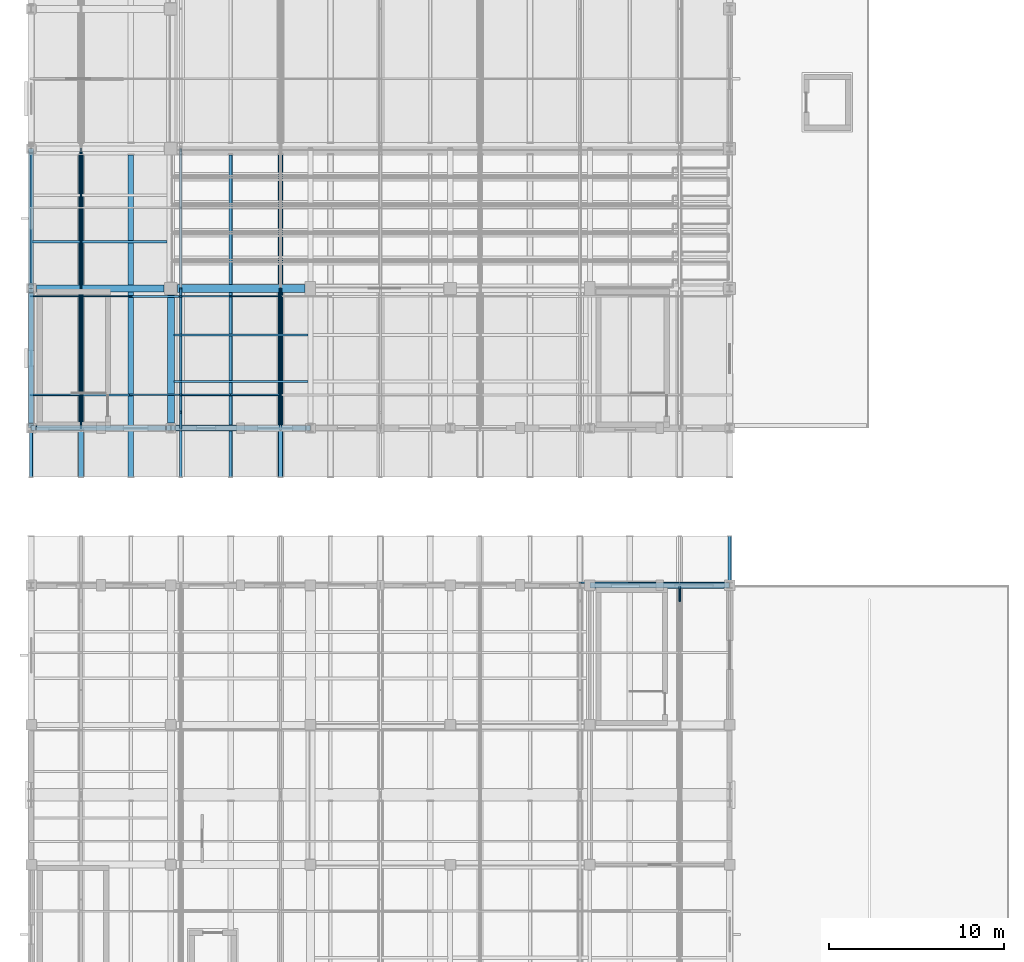
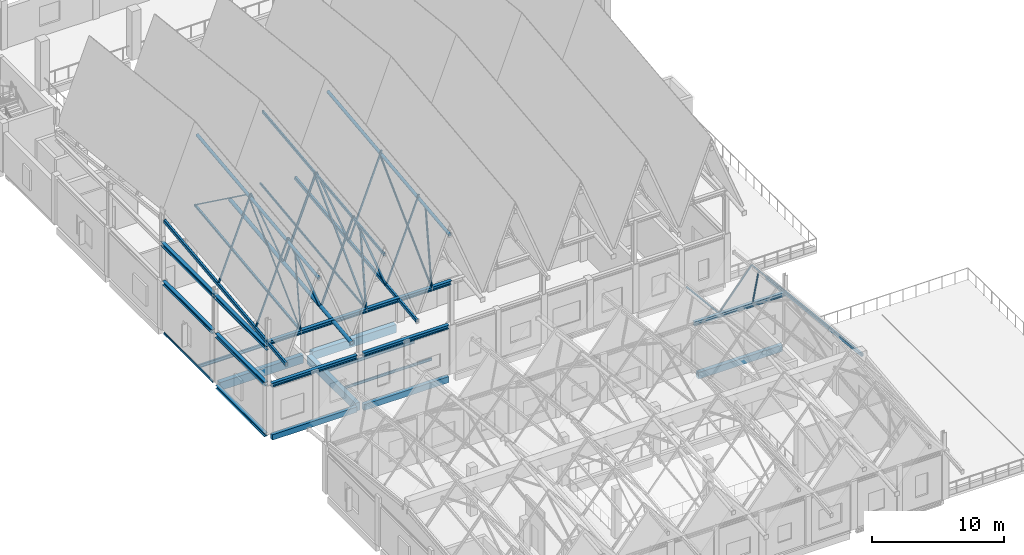
# One storey, part 14 of 77: 27 beams, 23 members.
"""IFC4 building model written with IfcOpenShell, lengths in metres."""

from ifc_helpers import new_model, si_unit, direction, frame, origin, origin_2d, place, context, subcontext, project, spatial, rectangle, hollow_rectangle, hollow_circle, i_section, extrude, material, material_profile, profile_set, type_object, element, save


model = new_model("IFC4")

# Units and contexts
model_context = context("Model", 3, precision=1e-05, world=origin(), true_north=direction((0.0, 1.0)))
body_context = subcontext(model_context, "Body", "Model", "MODEL_VIEW")
ifc_project = project(units=[si_unit("LENGTHUNIT", "METRE"), si_unit("AREAUNIT", "SQUARE_METRE"), si_unit("VOLUMEUNIT", "CUBIC_METRE"), si_unit("PLANEANGLEUNIT", "RADIAN"), si_unit("MASSUNIT", "GRAM", prefix="KILO")], contexts=[model_context])

# Site, building, storey
site_placement = place(None, origin())
site = spatial("IfcSite", under=ifc_project, at=site_placement, CompositionType="ELEMENT")
building_placement = place(site_placement, origin())
building = spatial("IfcBuilding", under=site, at=building_placement, Name="Luwemba Playhouse", CompositionType="ELEMENT")
storey_placement = place(building_placement, frame((0.0, 0.0, 9.300048828125)))
storey = spatial("IfcBuildingStorey", under=building, at=storey_placement, Name="L02", CompositionType="ELEMENT", Elevation=9.300048828125)

# Beams
ifc_material_1 = material(Name="Concrete C40/50", Category="concrete")
ifc_material_profile_1 = material_profile(ifc_material_1, rectangle(XDim=0.39990234375, YDim=0.75, at=origin_2d()))
ifc_profile_set_1 = profile_set([ifc_material_profile_1], Name="Concrete C40/50")
beam_type_1 = type_object("IfcBeamType", Name="BM-RB03", PredefinedType="BEAM", material=ifc_profile_set_1)
for number, where, z_axis, x_axis, name in (
    (1, (4.300048828125, 44.0, -0.625), (1.0, 0.0, 0.0), (0.0, 1.0, 0.0), "L02 grid girder 0645"),
    (2, (12.0, 36.300048828125, -0.625), (0.0, 1.0, 0.0), (-1.0, 0.0, 0.0), "L02 transverse girder 0658"),
):
    element("IfcBeam", number, at=place(storey_placement, frame(where, z_axis=z_axis, x_axis=x_axis)), inside=storey, type_object=beam_type_1, Name=name, PredefinedType="BEAM", context=body_context, shape_type="SweptSolid", body=[
        extrude(rectangle(XDim=0.39990234375, YDim=0.75, at=origin_2d()), origin(), (0.0, 0.0, 1.0), 7.324951171875),
    ])
ifc_material_profile_2 = material_profile(ifc_material_1, rectangle(XDim=0.449951171875, YDim=0.75, at=origin_2d()))
ifc_profile_set_2 = profile_set([ifc_material_profile_2], Name="Concrete C40/50")
beam_type_2 = type_object("IfcBeamType", Name="BM-RB04", PredefinedType="BEAM", material=ifc_profile_set_2)
beam_1_placement = place(storey_placement, frame((12.375, 44.0, -0.625), z_axis=(1.0, 0.0, 0.0), x_axis=(0.0, 1.0, 0.0)))
element("IfcBeam", 3, at=beam_1_placement, inside=storey, type_object=beam_type_2, Name="L02 grid girder 0646", PredefinedType="BEAM", context=body_context, shape_type="SweptSolid", body=[
    extrude(rectangle(XDim=0.449951171875, YDim=0.75, at=origin_2d()), origin(), (0.0, 0.0, 1.0), 7.324951171875),
])
ifc_material_2 = material(Name="Steel S355", Category="steel")
ifc_material_profile_3 = material_profile(ifc_material_2, hollow_rectangle(XDim=0.14990234375, YDim=0.25, WallThickness=0.010009765625, InnerFilletRadius=0.014892578125, OuterFilletRadius=0.02490234375, at=origin_2d()))
ifc_profile_set_3 = profile_set([ifc_material_profile_3], Name="Steel S355")
beam_type_3 = type_object("IfcBeamType", Name="BM-RTG1", PredefinedType="USERDEFINED", material=ifc_profile_set_3)
beam_2_placement = place(storey_placement, frame((12.5712890625, 33.199951171875, 15.09814453125), z_axis=(0.0, 0.993767403215, 0.111473531871), x_axis=(-1.0, 0.0, 0.0)))
element("IfcBeam", 4, at=beam_2_placement, inside=storey, type_object=beam_type_3, Name="ROOF TRUSS ridge girder 0028", ObjectType="ROOF TRUSS", PredefinedType="USERDEFINED", context=body_context, shape_type="SweptSolid", body=[
    extrude(hollow_rectangle(XDim=0.14990234375, YDim=0.25, WallThickness=0.010009765625, InnerFilletRadius=0.014892578125, OuterFilletRadius=0.02490234375, at=origin_2d()), origin(), (0.0, 0.0, 1.0), 18.565673828125),
])
ifc_material_profile_4 = material_profile(ifc_material_2, hollow_rectangle(XDim=0.199951171875, YDim=0.300048828125, WallThickness=0.012451171875, InnerFilletRadius=0.018798828125, OuterFilletRadius=0.03125, at=origin_2d()))
ifc_profile_set_4 = profile_set([ifc_material_profile_4], Name="Steel S355")
beam_type_4 = type_object("IfcBeamType", Name="BM-RTG2", PredefinedType="USERDEFINED", material=ifc_profile_set_4)
for number, where, z_axis, x_axis, name in (
    (5, (4.0, 33.199951171875, 7.975830078125), (0.0, 0.993767403215, 0.111473531871), (-1.0, 0.0, 0.0), "ROOF TRUSS valley girder 0022"),
    (6, (15.4287109375, 33.199951171875, 7.975830078125), (0.0, 0.993767403215, 0.111473531871), (-1.0, 0.0, 0.0), "ROOF TRUSS valley girder 0030"),
):
    element("IfcBeam", number, at=place(storey_placement, frame(where, z_axis=z_axis, x_axis=x_axis)), inside=storey, type_object=beam_type_4, Name=name, ObjectType="ROOF TRUSS", PredefinedType="USERDEFINED", context=body_context, shape_type="SweptSolid", body=[
        extrude(hollow_rectangle(XDim=0.199951171875, YDim=0.300048828125, WallThickness=0.012451171875, InnerFilletRadius=0.018798828125, OuterFilletRadius=0.03125, at=origin_2d()), origin(), (0.0, 0.0, 1.0), 18.565673828125),
    ])
beam_3_placement = place(storey_placement, frame((44.0, 15.35009765625, 5.68212890625), z_axis=(0.0, 0.993767706686, -0.111470826443), x_axis=(-1.0, 0.0, 0.0)))
element("IfcBeam", 7, at=beam_3_placement, inside=storey, type_object=beam_type_4, Name="ROOF TRUSS valley girder 0290", ObjectType="ROOF TRUSS", PredefinedType="USERDEFINED", context=body_context, shape_type="SweptSolid", body=[
    extrude(hollow_rectangle(XDim=0.199951171875, YDim=0.300048828125, WallThickness=0.012451171875, InnerFilletRadius=0.018798828125, OuterFilletRadius=0.03125, at=origin_2d()), origin(), (0.0, 0.0, 1.0), 14.54052734375),
])
ifc_material_profile_5 = material_profile(ifc_material_2, hollow_circle(Radius=0.136474609375, WallThickness=0.012451171875, at=origin_2d()))
ifc_profile_set_5 = profile_set([ifc_material_profile_5], Name="Steel S355")
beam_type_5 = type_object("IfcBeamType", Name="BM-RTG3", PredefinedType="USERDEFINED", material=ifc_profile_set_5)
for number, where, z_axis, x_axis, name in (
    (8, (6.857177734375, 33.199951171875, 14.92724609375), (0.0, 0.993767403215, 0.111473531871), (-1.0, 0.0, 0.0), "ROOF TRUSS ridge girder 0024"),
    (9, (18.28564453125, 33.199951171875, 14.92724609375), (0.0, 0.993767403215, 0.111473531871), (-1.0, 0.0, 0.0), "ROOF TRUSS ridge girder 0032"),
):
    element("IfcBeam", number, at=place(storey_placement, frame(where, z_axis=z_axis, x_axis=x_axis)), inside=storey, type_object=beam_type_5, Name=name, ObjectType="ROOF TRUSS", PredefinedType="USERDEFINED", context=body_context, shape_type="SweptSolid", body=[
        extrude(hollow_circle(Radius=0.136474609375, WallThickness=0.012451171875, at=origin_2d()), origin(), (0.0, 0.0, 1.0), 18.565673828125),
    ])
ifc_material_profile_6 = material_profile(ifc_material_2, hollow_circle(Radius=0.161865234375, WallThickness=0.01611328125, at=origin_2d()))
ifc_profile_set_6 = profile_set([ifc_material_profile_6], Name="Steel S355")
beam_type_6 = type_object("IfcBeamType", Name="BM-RTG4", PredefinedType="USERDEFINED", material=ifc_profile_set_6)
beam_4_placement = place(storey_placement, frame((9.71435546875, 33.199951171875, 7.9638671875), z_axis=(0.0, 0.993767403215, 0.111473531871), x_axis=(-1.0, 0.0, 0.0)))
element("IfcBeam", 10, at=beam_4_placement, inside=storey, type_object=beam_type_6, Name="ROOF TRUSS valley girder 0026", ObjectType="ROOF TRUSS", PredefinedType="USERDEFINED", context=body_context, shape_type="SweptSolid", body=[
    extrude(hollow_circle(Radius=0.161865234375, WallThickness=0.01611328125, at=origin_2d()), origin(), (0.0, 0.0, 1.0), 18.565673828125),
])
ifc_material_profile_7 = material_profile(ifc_material_2, i_section(OverallWidth=0.300048828125, OverallDepth=0.360107421875, WebThickness=0.012451171875, FlangeThickness=0.0224609375, FilletRadius=0.027099609375, at=origin_2d()))
ifc_profile_set_7 = profile_set([ifc_material_profile_7], Name="Steel S355")
beam_type_7 = type_object("IfcBeamType", Name="BM-SB09", PredefinedType="BEAM", material=ifc_profile_set_7)
for number, where, z_axis, x_axis, name in (
    (11, (4.0, 36.25, 4.320068359375), (0.0, 1.0, 0.0), (-1.0, 0.0, 0.0), "L02 V1 auditorium clerestory spandrel beam 01"),
    (12, (4.0, 44.25, 4.320068359375), (0.0, 1.0, 0.0), (-1.0, 0.0, 0.0), "L02 V1 auditorium clerestory spandrel beam 02"),
    (13, (4.25, 36.0, 4.320068359375), (1.0, 0.0, 0.0), (0.0, 1.0, 0.0), "L02 V1 auditorium clerestory spandrel beam 05"),
    (14, (12.25, 36.0, 4.320068359375), (1.0, 0.0, 0.0), (0.0, 1.0, 0.0), "L02 V1 auditorium clerestory spandrel beam 06"),
):
    element("IfcBeam", number, at=place(storey_placement, frame(where, z_axis=z_axis, x_axis=x_axis)), inside=storey, type_object=beam_type_7, Name=name, PredefinedType="BEAM", context=body_context, shape_type="SweptSolid", body=[
        extrude(i_section(OverallWidth=0.300048828125, OverallDepth=0.360107421875, WebThickness=0.012451171875, FlangeThickness=0.0224609375, FilletRadius=0.027099609375, at=origin_2d()), origin(), (0.0, 0.0, 1.0), 7.5),
    ])
for number, where, z_axis, x_axis, name in (
    (15, (4.0, 36.0, 8.320068359375), (1.0, 0.0, 0.0), (0.0, 1.0, 0.0), "RF-V1 eave ring beam 0001"),
    (16, (12.0, 36.0, 8.320068359375), (1.0, 0.0, 0.0), (0.0, 1.0, 0.0), "RF-V1 eave ring beam 0002"),
    (17, (4.0, 36.0, 7.780029296875), (0.0, 1.0, 0.0), (-1.0, 0.0, 0.0), "RF-V1 gable ring beam 0011"),
    (18, (4.0, 44.0, 7.780029296875), (0.0, 1.0, 0.0), (-1.0, 0.0, 0.0), "RF-V1 gable ring beam 0012"),
    (19, (36.0, 27.0, 4.320068359375), (1.0, 0.0, 0.0), (0.0, 1.0, 0.0), "RF-V5W eave ring beam 0251"),
):
    element("IfcBeam", number, at=place(storey_placement, frame(where, z_axis=z_axis, x_axis=x_axis)), inside=storey, type_object=beam_type_7, Name=name, PredefinedType="BEAM", context=body_context, shape_type="SweptSolid", body=[
        extrude(i_section(OverallWidth=0.300048828125, OverallDepth=0.360107421875, WebThickness=0.012451171875, FlangeThickness=0.0224609375, FilletRadius=0.027099609375, at=origin_2d()), origin(), (0.0, 0.0, 1.0), 8.0),
    ])
ifc_material_profile_8 = material_profile(ifc_material_2, i_section(OverallWidth=0.1201171875, OverallDepth=0.239990234375, WebThickness=0.006103515625, FlangeThickness=0.009765625, FilletRadius=0.014892578125, at=origin_2d()))
ifc_profile_set_8 = profile_set([ifc_material_profile_8], Name="Steel S355")
beam_type_8 = type_object("IfcBeamType", Name="BM-SJ03", PredefinedType="JOIST", material=ifc_profile_set_8)
beam_5_placement = place(storey_placement, frame((12.196044921875, 38.666748046875, -0.3701171875), z_axis=(1.0, 0.0, 0.0), x_axis=(0.0, 1.0, 0.0)))
element("IfcBeam", 20, at=beam_5_placement, inside=storey, type_object=beam_type_8, Name="L02 composite floor joist 0393", PredefinedType="JOIST", context=body_context, shape_type="SweptSolid", body=[
    extrude(i_section(OverallWidth=0.1201171875, OverallDepth=0.239990234375, WebThickness=0.006103515625, FlangeThickness=0.009765625, FilletRadius=0.014892578125, at=origin_2d()), origin(), (0.0, 0.0, 1.0), 7.66796875),
])
ifc_material_profile_9 = material_profile(ifc_material_2, i_section(OverallWidth=0.135009765625, OverallDepth=0.27001953125, WebThickness=0.006591796875, FlangeThickness=0.01025390625, FilletRadius=0.014892578125, at=origin_2d()))
ifc_profile_set_9 = profile_set([ifc_material_profile_9], Name="Steel S355")
beam_type_9 = type_object("IfcBeamType", Name="BM-SJ04", PredefinedType="JOIST", material=ifc_profile_set_9)
beam_6_placement = place(storey_placement, frame((12.196044921875, 41.333251953125, -0.385009765625), z_axis=(1.0, 0.0, 0.0), x_axis=(0.0, 1.0, 0.0)))
element("IfcBeam", 21, at=beam_6_placement, inside=storey, type_object=beam_type_9, Name="L02 composite floor joist 0394", PredefinedType="JOIST", context=body_context, shape_type="SweptSolid", body=[
    extrude(i_section(OverallWidth=0.135009765625, OverallDepth=0.27001953125, WebThickness=0.006591796875, FlangeThickness=0.01025390625, FilletRadius=0.014892578125, at=origin_2d()), origin(), (0.0, 0.0, 1.0), 7.66796875),
])
ifc_material_profile_10 = material_profile(ifc_material_2, i_section(OverallWidth=0.14990234375, OverallDepth=0.300048828125, WebThickness=0.007080078125, FlangeThickness=0.0107421875, FilletRadius=0.014892578125, at=origin_2d()))
ifc_profile_set_10 = profile_set([ifc_material_profile_10], Name="Steel S355")
beam_type_10 = type_object("IfcBeamType", Name="BM-SJ05", PredefinedType="JOIST", material=ifc_profile_set_10)
beam_7_placement = place(storey_placement, frame((4.0458984375, 46.666748046875, -0.400146484375), z_axis=(1.0, 0.0, 0.0), x_axis=(0.0, 1.0, 0.0)))
element("IfcBeam", 22, at=beam_7_placement, inside=storey, type_object=beam_type_10, Name="L02 composite floor joist 0389", PredefinedType="JOIST", context=body_context, shape_type="SweptSolid", body=[
    extrude(i_section(OverallWidth=0.14990234375, OverallDepth=0.300048828125, WebThickness=0.007080078125, FlangeThickness=0.0107421875, FilletRadius=0.014892578125, at=origin_2d()), origin(), (0.0, 0.0, 1.0), 7.733154296875),
])
ifc_material_profile_11 = material_profile(ifc_material_1, rectangle(XDim=0.300048828125, YDim=0.5, at=origin_2d()))
ifc_profile_set_11 = profile_set([ifc_material_profile_11], Name="Concrete C40/50")
beam_type_11 = type_object("IfcBeamType", Name="BM-SP1", PredefinedType="SPANDREL", material=ifc_profile_set_11)
beam_8_placement = place(storey_placement, frame((4.300048828125, 36.0, -0.5), z_axis=(1.0, 0.0, 0.0), x_axis=(0.0, 1.0, 0.0)))
element("IfcBeam", 23, at=beam_8_placement, inside=storey, type_object=beam_type_11, Name="L02 grid girder 0640", PredefinedType="SPANDREL", context=body_context, shape_type="SweptSolid", body=[
    extrude(rectangle(XDim=0.300048828125, YDim=0.5, at=origin_2d()), origin(), (0.0, 0.0, 1.0), 7.39990234375),
])
ifc_material_profile_12 = material_profile(ifc_material_1, rectangle(XDim=0.35009765625, YDim=0.550048828125, at=origin_2d()))
ifc_profile_set_12 = profile_set([ifc_material_profile_12], Name="Concrete C40/50")
beam_type_12 = type_object("IfcBeamType", Name="BM-SP2", PredefinedType="SPANDREL", material=ifc_profile_set_12)
beam_9_placement = place(storey_placement, frame((12.300048828125, 36.0, -0.525146484375), z_axis=(1.0, 0.0, 0.0), x_axis=(0.0, 1.0, 0.0)))
element("IfcBeam", 24, at=beam_9_placement, inside=storey, type_object=beam_type_12, Name="L02 grid girder 0641", PredefinedType="SPANDREL", context=body_context, shape_type="SweptSolid", body=[
    extrude(rectangle(XDim=0.35009765625, YDim=0.550048828125, at=origin_2d()), origin(), (0.0, 0.0, 1.0), 7.39990234375),
])
ifc_material_profile_13 = material_profile(ifc_material_1, rectangle(XDim=0.35009765625, YDim=0.60009765625, at=origin_2d()))
ifc_profile_set_13 = profile_set([ifc_material_profile_13], Name="Concrete C40/50")
beam_type_13 = type_object("IfcBeamType", Name="BM-SP3", PredefinedType="SPANDREL", material=ifc_profile_set_13)
beam_10_placement = place(storey_placement, frame((36.324951171875, 27.0, -0.550048828125), z_axis=(1.0, 0.0, 0.0), x_axis=(0.0, 1.0, 0.0)))
element("IfcBeam", 25, at=beam_10_placement, inside=storey, type_object=beam_type_13, Name="L02 grid girder 0778", PredefinedType="SPANDREL", context=body_context, shape_type="SweptSolid", body=[
    extrude(rectangle(XDim=0.35009765625, YDim=0.60009765625, at=origin_2d()), origin(), (0.0, 0.0, 1.0), 7.35009765625),
])
ifc_material_profile_14 = material_profile(ifc_material_2, i_section(OverallWidth=0.300048828125, OverallDepth=0.300048828125, WebThickness=0.010986328125, FlangeThickness=0.01904296875, FilletRadius=0.027099609375, at=origin_2d()))
ifc_profile_set_14 = profile_set([ifc_material_profile_14], Name="Steel S355")
beam_type_14 = type_object("IfcBeamType", Name="BM-SSP1", PredefinedType="SPANDREL", material=ifc_profile_set_14)
beam_11_placement = place(storey_placement, frame((4.0, 36.300048828125, -0.400146484375), z_axis=(0.0, 1.0, 0.0), x_axis=(-1.0, 0.0, 0.0)))
element("IfcBeam", 26, at=beam_11_placement, inside=storey, type_object=beam_type_14, Name="L02 transverse girder 0654", PredefinedType="SPANDREL", context=body_context, shape_type="SweptSolid", body=[
    extrude(i_section(OverallWidth=0.300048828125, OverallDepth=0.300048828125, WebThickness=0.010986328125, FlangeThickness=0.01904296875, FilletRadius=0.027099609375, at=origin_2d()), origin(), (0.0, 0.0, 1.0), 7.39990234375),
])
ifc_material_profile_15 = material_profile(ifc_material_2, hollow_rectangle(XDim=0.10009765625, YDim=0.199951171875, WallThickness=0.008056640625, InnerFilletRadius=0.011962890625, OuterFilletRadius=0.02001953125, at=origin_2d()))
ifc_profile_set_15 = profile_set([ifc_material_profile_15], Name="Steel S355")
beam_type_15 = type_object("IfcBeamType", Name="BM-SSP2", PredefinedType="SPANDREL", material=ifc_profile_set_15)
beam_12_placement = place(storey_placement, frame((4.0, 44.300048828125, -0.35009765625), z_axis=(0.0, 1.0, 0.0), x_axis=(-1.0, 0.0, 0.0)))
element("IfcBeam", 27, at=beam_12_placement, inside=storey, type_object=beam_type_15, Name="L02 transverse girder 0655", PredefinedType="SPANDREL", context=body_context, shape_type="SweptSolid", body=[
    extrude(hollow_rectangle(XDim=0.10009765625, YDim=0.199951171875, WallThickness=0.008056640625, InnerFilletRadius=0.011962890625, OuterFilletRadius=0.02001953125, at=origin_2d()), origin(), (0.0, 0.0, 1.0), 7.39990234375),
])

# Members
ifc_material_profile_16 = material_profile(ifc_material_2, hollow_circle(Radius=0.06982421875, WallThickness=0.008056640625, at=origin_2d()))
ifc_profile_set_16 = profile_set([ifc_material_profile_16], Name="Steel S355")
member_type_1 = type_object("IfcMemberType", Name="MEM-MB01", PredefinedType="BRACE", material=ifc_profile_set_16)
member_1_placement = place(storey_placement, frame((41.142822265625, 27.0, 4.39990234375), z_axis=(0.0, -0.255427788816, 0.966828136072), x_axis=(1.0, 0.0, 0.0)))
element("IfcMember", 28, at=member_1_placement, inside=storey, type_object=member_type_1, Name="ROOF TRUSS eave knee strut 0071", PredefinedType="BRACE", context=body_context, shape_type="SweptSolid", body=[
    extrude(hollow_circle(Radius=0.06982421875, WallThickness=0.008056640625, at=origin_2d()), origin(), (0.0, 0.0, 1.0), 3.523193359375),
])
ifc_material_profile_17 = material_profile(ifc_material_2, hollow_circle(Radius=0.084228515625, WallThickness=0.008056640625, at=origin_2d()))
ifc_profile_set_17 = profile_set([ifc_material_profile_17], Name="Steel S355")
member_type_2 = type_object("IfcMemberType", Name="MEM-MB02", PredefinedType="BRACE", material=ifc_profile_set_17)
member_2_placement = place(storey_placement, frame((18.28564453125, 36.0, 8.39990234375), z_axis=(0.0, 0.718744269729, 0.695274531917), x_axis=(-1.0, 0.0, 0.0)))
element("IfcMember", 29, at=member_2_placement, inside=storey, type_object=member_type_2, Name="ROOF TRUSS web diagonal 0015", PredefinedType="BRACE", context=body_context, shape_type="SweptSolid", body=[
    extrude(hollow_circle(Radius=0.084228515625, WallThickness=0.008056640625, at=origin_2d()), origin(), (0.0, 0.0, 1.0), 11.130615234375),
])
member_3_placement = place(storey_placement, frame((18.28564453125, 36.0, 8.39990234375), z_axis=(0.0, 0.12854894737, 0.991703165332), x_axis=(-1.0, 0.0, 0.0)))
element("IfcMember", 30, at=member_3_placement, inside=storey, type_object=member_type_2, Name="ROOF TRUSS eave knee strut 0003", PredefinedType="BRACE", context=body_context, shape_type="SweptSolid", body=[
    extrude(hollow_circle(Radius=0.084228515625, WallThickness=0.008056640625, at=origin_2d()), origin(), (0.0, 0.0, 1.0), 7.00048828125),
])
ifc_material_profile_18 = material_profile(ifc_material_2, hollow_rectangle(XDim=0.10009765625, YDim=0.10009765625, WallThickness=0.00634765625, InnerFilletRadius=0.009521484375, OuterFilletRadius=0.015869140625, at=origin_2d()))
ifc_profile_set_18 = profile_set([ifc_material_profile_18], Name="Steel S355")
member_type_3 = type_object("IfcMemberType", Name="MEM-MB05", PredefinedType="BRACE", material=ifc_profile_set_18)
member_4_placement = place(storey_placement, frame((6.857177734375, 36.0, 8.39990234375), z_axis=(0.0, 0.718744269729, 0.695274531917), x_axis=(-1.0, 0.0, 0.0)))
element("IfcMember", 31, at=member_4_placement, inside=storey, type_object=member_type_3, Name="ROOF TRUSS web diagonal 0003", PredefinedType="BRACE", context=body_context, shape_type="SweptSolid", body=[
    extrude(hollow_rectangle(XDim=0.10009765625, YDim=0.10009765625, WallThickness=0.00634765625, InnerFilletRadius=0.009521484375, OuterFilletRadius=0.015869140625, at=origin_2d()), origin(), (0.0, 0.0, 1.0), 11.130615234375),
])
member_5_placement = place(storey_placement, frame((6.857177734375, 52.0, 10.314697265625), z_axis=(0.0, -0.8084575316, 0.5885545171), x_axis=(1.0, 0.0, 0.0)))
element("IfcMember", 32, at=member_5_placement, inside=storey, type_object=member_type_3, Name="ROOF TRUSS web diagonal 0004", PredefinedType="BRACE", context=body_context, shape_type="SweptSolid", body=[
    extrude(hollow_rectangle(XDim=0.10009765625, YDim=0.10009765625, WallThickness=0.00634765625, InnerFilletRadius=0.009521484375, OuterFilletRadius=0.015869140625, at=origin_2d()), origin(), (0.0, 0.0, 1.0), 9.8955078125),
])
member_6_placement = place(storey_placement, frame((6.857177734375, 36.0, 8.39990234375), z_axis=(0.0, 0.12854894737, 0.991703165332), x_axis=(-1.0, 0.0, 0.0)))
element("IfcMember", 33, at=member_6_placement, inside=storey, type_object=member_type_3, Name="ROOF TRUSS eave knee strut 0001", PredefinedType="BRACE", context=body_context, shape_type="SweptSolid", body=[
    extrude(hollow_rectangle(XDim=0.10009765625, YDim=0.10009765625, WallThickness=0.00634765625, InnerFilletRadius=0.009521484375, OuterFilletRadius=0.015869140625, at=origin_2d()), origin(), (0.0, 0.0, 1.0), 7.00048828125),
])
ifc_material_profile_19 = material_profile(ifc_material_2, hollow_rectangle(XDim=0.139892578125, YDim=0.139892578125, WallThickness=0.008056640625, InnerFilletRadius=0.011962890625, OuterFilletRadius=0.02001953125, at=origin_2d()))
ifc_profile_set_19 = profile_set([ifc_material_profile_19], Name="Steel S355")
member_type_4 = type_object("IfcMemberType", Name="MEM-MB07", PredefinedType="BRACE", material=ifc_profile_set_19)
member_7_placement = place(storey_placement, frame((12.5712890625, 36.0, 8.39990234375), z_axis=(0.0, 0.71111013522, 0.703080632351), x_axis=(-1.0, 0.0, 0.0)))
element("IfcMember", 34, at=member_7_placement, inside=storey, type_object=member_type_4, Name="ROOF TRUSS web diagonal 0009", PredefinedType="BRACE", context=body_context, shape_type="SweptSolid", body=[
    extrude(hollow_rectangle(XDim=0.139892578125, YDim=0.139892578125, WallThickness=0.008056640625, InnerFilletRadius=0.011962890625, OuterFilletRadius=0.02001953125, at=origin_2d()), origin(), (0.0, 0.0, 1.0), 11.25),
])
member_8_placement = place(storey_placement, frame((12.5712890625, 36.0, 8.39990234375), z_axis=(0.0, 0.125509765517, 0.992092384186), x_axis=(-1.0, 0.0, 0.0)))
element("IfcMember", 35, at=member_8_placement, inside=storey, type_object=member_type_4, Name="ROOF TRUSS eave knee strut 0002", PredefinedType="BRACE", context=body_context, shape_type="SweptSolid", body=[
    extrude(hollow_rectangle(XDim=0.139892578125, YDim=0.139892578125, WallThickness=0.008056640625, InnerFilletRadius=0.011962890625, OuterFilletRadius=0.02001953125, at=origin_2d()), origin(), (0.0, 0.0, 1.0), 7.169921875),
])
ifc_material_profile_20 = material_profile(ifc_material_2, hollow_rectangle(XDim=0.179931640625, YDim=0.179931640625, WallThickness=0.010009765625, InnerFilletRadius=0.014892578125, OuterFilletRadius=0.02490234375, at=origin_2d()))
ifc_profile_set_20 = profile_set([ifc_material_profile_20], Name="Steel S355")
member_type_5 = type_object("IfcMemberType", Name="MEM-MC03", PredefinedType="CHORD", material=ifc_profile_set_20)
member_9_placement = place(storey_placement, frame((6.857177734375, 36.0, 8.39990234375), z_axis=(0.0, 0.992914998684, 0.118826787333), x_axis=(-1.0, 0.0, 0.0)))
element("IfcMember", 36, at=member_9_placement, inside=storey, type_object=member_type_5, Name="ROOF TRUSS south bottom chord 0001", PredefinedType="CHORD", context=body_context, shape_type="SweptSolid", body=[
    extrude(hollow_rectangle(XDim=0.179931640625, YDim=0.179931640625, WallThickness=0.010009765625, InnerFilletRadius=0.014892578125, OuterFilletRadius=0.02490234375, at=origin_2d()), origin(), (0.0, 0.0, 1.0), 16.1142578125),
])
ifc_material_profile_21 = material_profile(ifc_material_2, hollow_rectangle(XDim=0.1201171875, YDim=0.199951171875, WallThickness=0.010009765625, InnerFilletRadius=0.014892578125, OuterFilletRadius=0.02490234375, at=origin_2d()))
ifc_profile_set_21 = profile_set([ifc_material_profile_21], Name="Steel S355")
member_type_6 = type_object("IfcMemberType", Name="MEM-MC05", PredefinedType="CHORD", material=ifc_profile_set_21)
member_10_placement = place(storey_placement, frame((12.5712890625, 36.0, 8.39990234375), z_axis=(0.0, 0.992914998684, 0.118826787333), x_axis=(-1.0, 0.0, 0.0)))
element("IfcMember", 37, at=member_10_placement, inside=storey, type_object=member_type_6, Name="ROOF TRUSS south bottom chord 0007", PredefinedType="CHORD", context=body_context, shape_type="SweptSolid", body=[
    extrude(hollow_rectangle(XDim=0.1201171875, YDim=0.199951171875, WallThickness=0.010009765625, InnerFilletRadius=0.014892578125, OuterFilletRadius=0.02490234375, at=origin_2d()), origin(), (0.0, 0.0, 1.0), 16.1142578125),
])
ifc_material_profile_22 = material_profile(ifc_material_2, hollow_rectangle(XDim=0.080078125, YDim=0.1201171875, WallThickness=0.00634765625, InnerFilletRadius=0.009521484375, OuterFilletRadius=0.015869140625, at=origin_2d()))
ifc_profile_set_22 = profile_set([ifc_material_profile_22], Name="Steel S355")
member_type_7 = type_object("IfcMemberType", Name="MEM-MP01", PredefinedType="PURLIN", material=ifc_profile_set_22)
member_11_placement = place(storey_placement, frame((6.857177734375, 43.5400390625, 16.532470703125), z_axis=(0.359955831838, 0.0, -0.932969345223), x_axis=(0.0, 1.0, 0.0)))
element("IfcMember", 38, at=member_11_placement, inside=storey, type_object=member_type_7, Name="Pleated roof purlin 0008", PredefinedType="PURLIN", context=body_context, shape_type="SweptSolid", body=[
    extrude(hollow_rectangle(XDim=0.080078125, YDim=0.1201171875, WallThickness=0.00634765625, InnerFilletRadius=0.009521484375, OuterFilletRadius=0.015869140625, at=origin_2d()), origin(), (0.0, 0.0, 1.0), 7.9375),
])
member_12_placement = place(storey_placement, frame((41.142822265625, 27.135986328125, 7.86083984375), z_axis=(0.637383781398, 0.0, -0.770546504249), x_axis=(0.0, 1.0, 0.0)))
element("IfcMember", 39, at=member_12_placement, inside=storey, type_object=member_type_7, Name="Pleated roof purlin 0528", PredefinedType="PURLIN", context=body_context, shape_type="SweptSolid", body=[
    extrude(hollow_rectangle(XDim=0.080078125, YDim=0.1201171875, WallThickness=0.00634765625, InnerFilletRadius=0.009521484375, OuterFilletRadius=0.015869140625, at=origin_2d()), origin(), (0.0, 0.0, 1.0), 4.482666015625),
])
ifc_material_profile_23 = material_profile(ifc_material_2, hollow_rectangle(XDim=0.10009765625, YDim=0.14990234375, WallThickness=0.008056640625, InnerFilletRadius=0.011962890625, OuterFilletRadius=0.02001953125, at=origin_2d()))
ifc_profile_set_23 = profile_set([ifc_material_profile_23], Name="Steel S355")
member_type_8 = type_object("IfcMemberType", Name="MEM-MP02", PredefinedType="PURLIN", material=ifc_profile_set_23)
member_13_placement = place(storey_placement, frame((4.0, 37.89990234375, 8.453369140625), z_axis=(0.359966161358, 0.0, 0.932965359849), x_axis=(0.0, 1.0, 0.0)))
element("IfcMember", 40, at=member_13_placement, inside=storey, type_object=member_type_8, Name="Pleated roof purlin 0001", PredefinedType="PURLIN", context=body_context, shape_type="SweptSolid", body=[
    extrude(hollow_rectangle(XDim=0.10009765625, YDim=0.14990234375, WallThickness=0.008056640625, InnerFilletRadius=0.011962890625, OuterFilletRadius=0.02001953125, at=origin_2d()), origin(), (0.0, 0.0, 1.0), 7.937255859375),
])
member_14_placement = place(storey_placement, frame((15.4287109375, 37.89990234375, 8.45361328125), z_axis=(0.359949717536, 0.0, 0.932971704204), x_axis=(0.0, 1.0, 0.0)))
element("IfcMember", 41, at=member_14_placement, inside=storey, type_object=member_type_8, Name="Pleated roof purlin 0025", PredefinedType="PURLIN", context=body_context, shape_type="SweptSolid", body=[
    extrude(hollow_rectangle(XDim=0.10009765625, YDim=0.14990234375, WallThickness=0.008056640625, InnerFilletRadius=0.011962890625, OuterFilletRadius=0.02001953125, at=origin_2d()), origin(), (0.0, 0.0, 1.0), 7.93701171875),
])
ifc_material_profile_24 = material_profile(ifc_material_2, hollow_rectangle(XDim=0.080078125, YDim=0.159912109375, WallThickness=0.00634765625, InnerFilletRadius=0.009521484375, OuterFilletRadius=0.015869140625, at=origin_2d()))
ifc_profile_set_24 = profile_set([ifc_material_profile_24], Name="Steel S355")
member_type_9 = type_object("IfcMemberType", Name="MEM-MP03", PredefinedType="PURLIN", material=ifc_profile_set_24)
member_15_placement = place(storey_placement, frame((4.0, 43.5400390625, 9.10693359375), z_axis=(0.359966161358, 0.0, 0.932965359849), x_axis=(0.0, 1.0, 0.0)))
element("IfcMember", 42, at=member_15_placement, inside=storey, type_object=member_type_9, Name="Pleated roof purlin 0002", PredefinedType="PURLIN", context=body_context, shape_type="SweptSolid", body=[
    extrude(hollow_rectangle(XDim=0.080078125, YDim=0.159912109375, WallThickness=0.00634765625, InnerFilletRadius=0.009521484375, OuterFilletRadius=0.015869140625, at=origin_2d()), origin(), (0.0, 0.0, 1.0), 7.937255859375),
])
member_16_placement = place(storey_placement, frame((15.4287109375, 43.5400390625, 9.107177734375), z_axis=(0.359949717536, 0.0, 0.932971704204), x_axis=(0.0, 1.0, 0.0)))
element("IfcMember", 43, at=member_16_placement, inside=storey, type_object=member_type_9, Name="Pleated roof purlin 0026", PredefinedType="PURLIN", context=body_context, shape_type="SweptSolid", body=[
    extrude(hollow_rectangle(XDim=0.080078125, YDim=0.159912109375, WallThickness=0.00634765625, InnerFilletRadius=0.009521484375, OuterFilletRadius=0.015869140625, at=origin_2d()), origin(), (0.0, 0.0, 1.0), 7.93701171875),
])
member_17_placement = place(storey_placement, frame((38.28564453125, 27.135986328125, 4.38671875), z_axis=(0.637383781398, 0.0, 0.770546504249), x_axis=(0.0, 1.0, 0.0)))
element("IfcMember", 44, at=member_17_placement, inside=storey, type_object=member_type_9, Name="Pleated roof purlin 0522", PredefinedType="PURLIN", context=body_context, shape_type="SweptSolid", body=[
    extrude(hollow_rectangle(XDim=0.080078125, YDim=0.159912109375, WallThickness=0.00634765625, InnerFilletRadius=0.009521484375, OuterFilletRadius=0.015869140625, at=origin_2d()), origin(), (0.0, 0.0, 1.0), 4.482666015625),
])
ifc_material_profile_25 = material_profile(ifc_material_2, hollow_rectangle(XDim=0.10009765625, YDim=0.179931640625, WallThickness=0.008056640625, InnerFilletRadius=0.011962890625, OuterFilletRadius=0.02001953125, at=origin_2d()))
ifc_profile_set_25 = profile_set([ifc_material_profile_25], Name="Steel S355")
member_type_10 = type_object("IfcMemberType", Name="MEM-MP04", PredefinedType="PURLIN", material=ifc_profile_set_25)
member_18_placement = place(storey_placement, frame((12.5712890625, 37.89990234375, 15.84375), z_axis=(0.359992933819, 0.0, -0.932955029785), x_axis=(0.0, 1.0, 0.0)))
element("IfcMember", 45, at=member_18_placement, inside=storey, type_object=member_type_10, Name="Pleated roof purlin 0019", PredefinedType="PURLIN", context=body_context, shape_type="SweptSolid", body=[
    extrude(hollow_rectangle(XDim=0.10009765625, YDim=0.179931640625, WallThickness=0.008056640625, InnerFilletRadius=0.011962890625, OuterFilletRadius=0.02001953125, at=origin_2d()), origin(), (0.0, 0.0, 1.0), 7.9375),
])
ifc_material_profile_26 = material_profile(ifc_material_2, i_section(OverallWidth=0.08203125, OverallDepth=0.159912109375, WebThickness=0.0048828125, FlangeThickness=0.00732421875, FilletRadius=0.009033203125, at=origin_2d()))
ifc_profile_set_26 = profile_set([ifc_material_profile_26], Name="Steel S355")
member_type_11 = type_object("IfcMemberType", Name="MEM-MP05", PredefinedType="PURLIN", material=ifc_profile_set_26)
member_19_placement = place(storey_placement, frame((12.5712890625, 43.5400390625, 16.509765625), z_axis=(0.35998260376, 0.0, -0.932959015708), x_axis=(0.0, 1.0, 0.0)))
element("IfcMember", 46, at=member_19_placement, inside=storey, type_object=member_type_11, Name="Pleated roof purlin 0020", PredefinedType="PURLIN", context=body_context, shape_type="SweptSolid", body=[
    extrude(i_section(OverallWidth=0.08203125, OverallDepth=0.159912109375, WebThickness=0.0048828125, FlangeThickness=0.00732421875, FilletRadius=0.009033203125, at=origin_2d()), origin(), (0.0, 0.0, 1.0), 7.937744140625),
])
member_20_placement = place(storey_placement, frame((35.4287109375, 27.135986328125, 7.839599609375), z_axis=(0.637351442582, 0.0, -0.77057325326), x_axis=(0.0, 1.0, 0.0)))
element("IfcMember", 47, at=member_20_placement, inside=storey, type_object=member_type_11, Name="Pleated roof purlin 0516", PredefinedType="PURLIN", context=body_context, shape_type="SweptSolid", body=[
    extrude(i_section(OverallWidth=0.08203125, OverallDepth=0.159912109375, WebThickness=0.0048828125, FlangeThickness=0.00732421875, FilletRadius=0.009033203125, at=origin_2d()), origin(), (0.0, 0.0, 1.0), 4.482421875),
])
ifc_material_profile_27 = material_profile(ifc_material_2, i_section(OverallWidth=0.091064453125, OverallDepth=0.179931640625, WebThickness=0.00537109375, FlangeThickness=0.008056640625, FilletRadius=0.009033203125, at=origin_2d()))
ifc_profile_set_27 = profile_set([ifc_material_profile_27], Name="Steel S355")
member_type_12 = type_object("IfcMemberType", Name="MEM-MP06", PredefinedType="PURLIN", material=ifc_profile_set_27)
member_21_placement = place(storey_placement, frame((9.71435546875, 37.89990234375, 8.4501953125), z_axis=(0.359939388007, 0.0, 0.932975689373), x_axis=(0.0, 1.0, 0.0)))
element("IfcMember", 48, at=member_21_placement, inside=storey, type_object=member_type_12, Name="Pleated roof purlin 0013", PredefinedType="PURLIN", context=body_context, shape_type="SweptSolid", body=[
    extrude(i_section(OverallWidth=0.091064453125, OverallDepth=0.179931640625, WebThickness=0.00537109375, FlangeThickness=0.008056640625, FilletRadius=0.009033203125, at=origin_2d()), origin(), (0.0, 0.0, 1.0), 7.937255859375),
])
ifc_material_profile_28 = material_profile(ifc_material_2, i_section(OverallWidth=0.10009765625, OverallDepth=0.199951171875, WebThickness=0.005615234375, FlangeThickness=0.008544921875, FilletRadius=0.011962890625, at=origin_2d()))
ifc_profile_set_28 = profile_set([ifc_material_profile_28], Name="Steel S355")
member_type_13 = type_object("IfcMemberType", Name="MEM-MP07", PredefinedType="PURLIN", material=ifc_profile_set_28)
member_22_placement = place(storey_placement, frame((9.71435546875, 43.5400390625, 9.06103515625), z_axis=(0.359939388007, 0.0, 0.932975689373), x_axis=(0.0, 1.0, 0.0)))
element("IfcMember", 49, at=member_22_placement, inside=storey, type_object=member_type_13, Name="Pleated roof purlin 0014", PredefinedType="PURLIN", context=body_context, shape_type="SweptSolid", body=[
    extrude(i_section(OverallWidth=0.10009765625, OverallDepth=0.199951171875, WebThickness=0.005615234375, FlangeThickness=0.008544921875, FilletRadius=0.011962890625, at=origin_2d()), origin(), (0.0, 0.0, 1.0), 7.937255859375),
])
ifc_material_profile_29 = material_profile(ifc_material_2, i_section(OverallWidth=0.110107421875, OverallDepth=0.219970703125, WebThickness=0.005859375, FlangeThickness=0.00927734375, FilletRadius=0.011962890625, at=origin_2d()))
ifc_profile_set_29 = profile_set([ifc_material_profile_29], Name="Steel S355")
member_type_14 = type_object("IfcMemberType", Name="MEM-MP08", PredefinedType="PURLIN", material=ifc_profile_set_29)
member_23_placement = place(storey_placement, frame((6.857177734375, 37.89990234375, 15.81103515625), z_axis=(0.359955831838, 0.0, -0.932969345223), x_axis=(0.0, 1.0, 0.0)))
element("IfcMember", 50, at=member_23_placement, inside=storey, type_object=member_type_14, Name="Pleated roof purlin 0007", PredefinedType="PURLIN", context=body_context, shape_type="SweptSolid", body=[
    extrude(i_section(OverallWidth=0.110107421875, OverallDepth=0.219970703125, WebThickness=0.005859375, FlangeThickness=0.00927734375, FilletRadius=0.011962890625, at=origin_2d()), origin(), (0.0, 0.0, 1.0), 7.9375),
])

save(model, "model.ifc")
